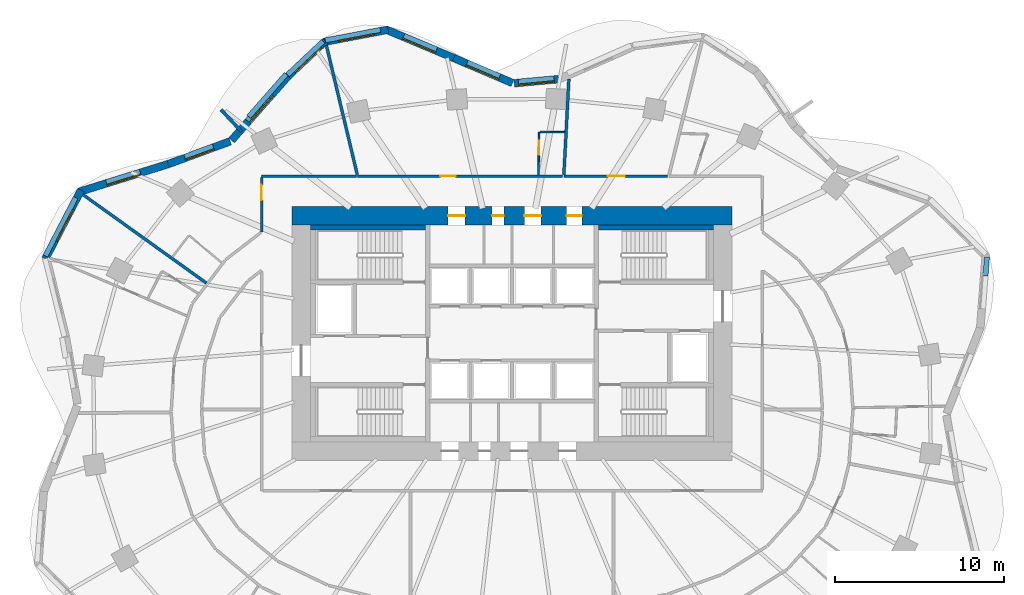
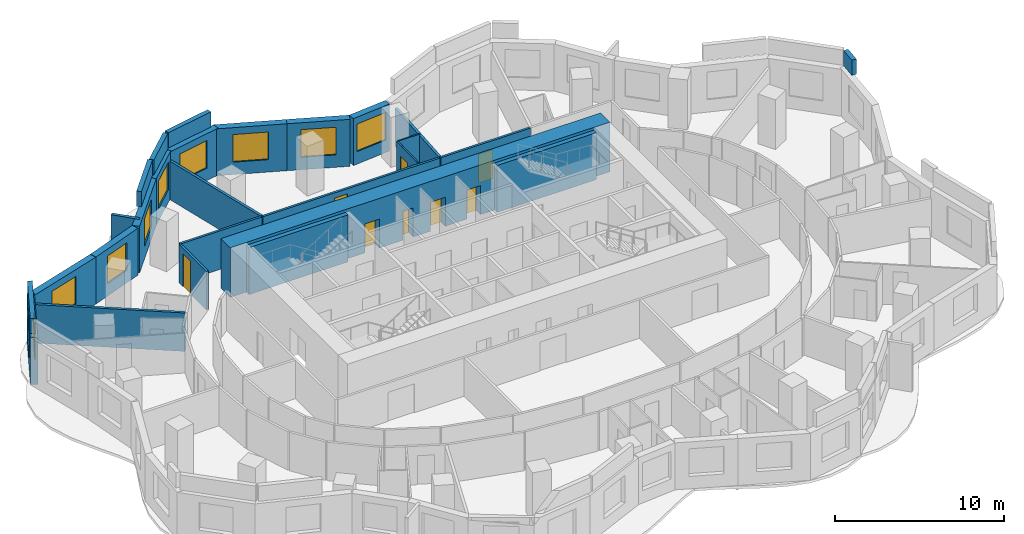
# One storey, part 8 of 10: 27 walls, 9 windows, 8 doors, 17 openings.
"""IFC4 building model written with IfcOpenShell, lengths in metres."""

import ifcopenshell
import ifcopenshell.guid

model = None  # the IFC model being written
_history = None  # IfcOwnerHistory: only IFC2X3 demands one
_inside = {}  # id of a spatial element -> (the spatial element, [elements in it])
_under = {}  # id of a project, library or spatial element -> (it, [spatial elements below it])
_declared = {}  # id of a project -> (the project, [libraries it declares])
_typed = {}  # id of a type object -> (the type object, [elements of that type])
_made_of = {}  # id of a material, layer set ... -> (it, [elements and type objects made of it])


def new_model(schema):
    """Start an empty IFC model of exactly this schema.

    Asked for "IFC4X3", IfcOpenShell would pick the latest addendum, in which some entities
    have other attributes; the version numbers below select the first issue.
    IFC2X3 requires an IfcOwnerHistory on every rooted entity: one is made here for all.
    """
    global model, _history
    if schema == "IFC4X3":
        model = ifcopenshell.file(schema_version=(4, 3, 0, 0))
    else:
        model = ifcopenshell.file(schema=schema)
    _inside.clear()
    _under.clear()
    _declared.clear()
    _typed.clear()
    _made_of.clear()
    _history = None
    if model.schema == "IFC2X3":
        org = make("IfcOrganization", Name="unknown")
        user = make(
            "IfcPersonAndOrganization",
            ThePerson=make("IfcPerson", FamilyName="unknown"),
            TheOrganization=org,
        )
        app = make(
            "IfcApplication",
            ApplicationDeveloper=org,
            Version="unknown",
            ApplicationFullName="unknown",
            ApplicationIdentifier="unknown",
        )
        _history = make(
            "IfcOwnerHistory",
            OwningUser=user,
            OwningApplication=app,
            ChangeAction="ADDED",
            CreationDate=0,
        )
    return model


def make(cls, **values):
    """One entity of the class cls with the attributes given. An attribute that is None is left unset."""
    return model.create_entity(
        cls, **{name: value for name, value in values.items() if value is not None}
    )


def rooted(cls, **values):
    """An entity with a GlobalId (a new one), such as an element, a storey or a relation."""
    return make(cls, GlobalId=ifcopenshell.guid.new(), OwnerHistory=_history, **values)


def si_unit(unit_type, name, prefix=None):
    """IfcSIUnit, for example si_unit("LENGTHUNIT", "METRE", prefix="MILLI")."""
    return make("IfcSIUnit", UnitType=unit_type, Prefix=prefix, Name=name)


def assignment(units):
    """IfcUnitAssignment: the units of a project."""
    return None if units is None else make("IfcUnitAssignment", Units=units)


def point(xyz):
    """IfcCartesianPoint."""
    return None if xyz is None else make("IfcCartesianPoint", Coordinates=xyz)


def direction(xyz):
    """IfcDirection."""
    return None if xyz is None else make("IfcDirection", DirectionRatios=xyz)


def frame(location, z_axis=None, x_axis=None):
    """IfcAxis2Placement3D, a coordinate frame: its origin and axes. An axis left out is left unset."""
    return make(
        "IfcAxis2Placement3D",
        Location=point(location),
        Axis=direction(z_axis),
        RefDirection=direction(x_axis),
    )


def frame_2d(location, x_axis=None):
    """IfcAxis2Placement2D, a coordinate frame in the plane: its origin and x axis."""
    return make(
        "IfcAxis2Placement2D", Location=point(location), RefDirection=direction(x_axis)
    )


def origin():
    """The frame at (0, 0, 0) with its axes left unset."""
    return frame((0.0, 0.0, 0.0))


def place(relative_to, where):
    """IfcLocalPlacement: puts the frame where relative to a parent placement (None: the world)."""
    return make(
        "IfcLocalPlacement", PlacementRelTo=relative_to, RelativePlacement=where
    )


def context(
    kind, dimensions, precision=None, world=None, true_north=None, identifier=None
):
    """IfcGeometricRepresentationContext, for example the 3D "Model" context."""
    return make(
        "IfcGeometricRepresentationContext",
        ContextIdentifier=identifier,
        ContextType=kind,
        CoordinateSpaceDimension=dimensions,
        Precision=precision,
        WorldCoordinateSystem=world,
        TrueNorth=true_north,
    )


def subcontext(parent, identifier, kind, view, scale=None):
    """IfcGeometricRepresentationSubContext, for example "Body" below "Model"."""
    return make(
        "IfcGeometricRepresentationSubContext",
        ContextIdentifier=identifier,
        ContextType=kind,
        ParentContext=parent,
        TargetScale=scale,
        TargetView=view,
    )


def project(units=None, contexts=None):
    """IfcProject with its units and contexts."""
    return rooted(
        "IfcProject",
        Name="project",
        RepresentationContexts=contexts,
        UnitsInContext=assignment(units),
    )


def spatial(cls, under=None, at=None, **own):
    """A site, building, storey or space (cls), placed at a placement, below another one or the project."""
    s = rooted(cls, ObjectPlacement=at, **own)
    if under is not None:
        _under.setdefault(under.id(), (under, []))[1].append(s)
    return s


def profile(cls, at=None, kind="AREA", **sizes):
    """A parametric profile (cls). Its sizes go by their IFC names, for example OverallWidth=200.0."""
    return make(cls, ProfileType=kind, Position=at, **sizes)


def rectangle(**sizes):
    """IfcRectangleProfileDef."""
    return profile("IfcRectangleProfileDef", **sizes)


def extrude(swept, where, along, depth):
    """IfcExtrudedAreaSolid: the profile swept, set in the frame where, extruded along a direction by depth."""
    return make(
        "IfcExtrudedAreaSolid",
        SweptArea=swept,
        Position=where,
        ExtrudedDirection=direction(along),
        Depth=depth,
    )


def shape(context_of_items, identifier, shape_type, items):
    """IfcShapeRepresentation: the items that make up one representation, for example the "Body"."""
    return make(
        "IfcShapeRepresentation",
        ContextOfItems=context_of_items,
        RepresentationIdentifier=identifier,
        RepresentationType=shape_type,
        Items=items,
    )


def material(Name=None, Category=None):
    """IfcMaterial."""
    return make("IfcMaterial", Name=Name, Category=Category)


def layer(
    of_material, thickness, ventilated=None, Name=None, Category=None, Priority=None
):
    """IfcMaterialLayer: one layer of a wall or slab, of a material (None: an air gap)."""
    return make(
        "IfcMaterialLayer",
        Material=of_material,
        LayerThickness=thickness,
        IsVentilated=ventilated,
        Name=Name,
        Category=Category,
        Priority=Priority,
    )


def layer_set(layers, Name=None):
    """IfcMaterialLayerSet."""
    return make("IfcMaterialLayerSet", MaterialLayers=layers, LayerSetName=Name)


def made_of(thing, what):
    """Note that an element or type object is made of a material, layer set ...; save() writes the relation."""
    if what is not None:
        _made_of.setdefault(what.id(), (what, []))[1].append(thing)
    return thing


def type_object(cls, material=None, **own):
    """A type object (cls), such as IfcWallType, which elements share."""
    return made_of(rooted(cls, **own), material)


def element(
    cls,
    number,
    at=None,
    inside=None,
    cuts=None,
    type_object=None,
    material=None,
    context=None,
    identifier="Body",
    shape_type=None,
    held_by="IfcProductDefinitionShape",
    body=None,
    shapes=None,
    **own,
):
    """One element of the class cls, such as IfcWall. Its Tag is "e" and its number.

    at: its placement. inside: the storey or other place that contains it. cuts: it is an
    opening in that element (IfcRelVoidsElement). A single representation is given by context,
    identifier, shape_type and body (its items); several are given by shapes. held_by: the class
    of the entity that holds the representations. save() writes the other relations.
    """
    e = rooted(cls, Tag="e%d" % number, ObjectPlacement=at, **own)
    if body is not None:
        shapes = [shape(context, identifier, shape_type, body)]
    if shapes is not None:
        e.Representation = make(held_by, Representations=shapes)
    if inside is not None:
        _inside.setdefault(inside.id(), (inside, []))[1].append(e)
    if cuts is not None:
        rooted(
            "IfcRelVoidsElement", RelatingBuildingElement=cuts, RelatedOpeningElement=e
        )
    if type_object is not None:
        _typed.setdefault(type_object.id(), (type_object, []))[1].append(e)
    return made_of(e, material)


def fill(opening, filler):
    """IfcRelFillsElement: the door or window that sits in an opening."""
    return rooted(
        "IfcRelFillsElement",
        RelatingOpeningElement=opening,
        RelatedBuildingElement=filler,
    )


def aggregate(whole, parts):
    """IfcRelAggregates: a whole, such as a stair, and the parts it consists of."""
    return rooted("IfcRelAggregates", RelatingObject=whole, RelatedObjects=parts)


def save(model, path):
    """Write the relations noted so far, then the file.

    IfcRelAggregates (storeys below a building ...), IfcRelContainedInSpatialStructure (elements
    in a storey), IfcRelDefinesByType, IfcRelAssociatesMaterial and IfcRelDeclares: one each for
    every whole, place, type object, material and project.
    """
    for whole, parts in _under.values():
        aggregate(whole, parts)
    for where, things in _inside.values():
        rooted(
            "IfcRelContainedInSpatialStructure",
            RelatedElements=things,
            RelatingStructure=where,
        )
    for kind, things in _typed.values():
        rooted("IfcRelDefinesByType", RelatedObjects=things, RelatingType=kind)
    for what, things in _made_of.values():
        rooted("IfcRelAssociatesMaterial", RelatedObjects=things, RelatingMaterial=what)
    for by, libraries in _declared.values():
        rooted("IfcRelDeclares", RelatingContext=by, RelatedDefinitions=libraries)
    model.write(path)


model = new_model("IFC4")

# Units and contexts
model_context = context("Model", 3, precision=1e-05, world=origin(), true_north=direction((0.0, 1.0)))
body_context = subcontext(model_context, "Body", "Model", "MODEL_VIEW")
ifc_project = project(units=[si_unit("LENGTHUNIT", "METRE"), si_unit("AREAUNIT", "SQUARE_METRE"), si_unit("VOLUMEUNIT", "CUBIC_METRE"), si_unit("PLANEANGLEUNIT", "RADIAN"), si_unit("MASSUNIT", "GRAM", prefix="KILO")], contexts=[model_context])

# Site, building, storey
site_placement = place(None, origin())
site = spatial("IfcSite", under=ifc_project, at=site_placement, CompositionType="ELEMENT")
building_placement = place(site_placement, origin())
building = spatial("IfcBuilding", under=site, at=building_placement, Name="Rubra Terraces Tower", CompositionType="ELEMENT")
storey_placement = place(building_placement, frame((0.0, 0.0, 110.39990234375)))
storey = spatial("IfcBuildingStorey", under=building, at=storey_placement, Name="L26", CompositionType="ELEMENT", Elevation=110.39990234375)

# Walls
ifc_material_1 = material(Name="Twin plasterboard on staggered steel stud, acoustic mineral wool", Category="steel")
ifc_layer_1 = layer(ifc_material_1, 0.175048828125)
ifc_layer_set_1 = layer_set([ifc_layer_1], Name="Twin plasterboard on staggered steel stud, acoustic mineral wool")
wall_type_1 = type_object("IfcWallType", Name="ACOUSTIC PARTY WALL 175", PredefinedType="PARTITIONING", material=ifc_layer_set_1)
wall_1_placement = place(storey_placement, frame((3.361328125, 19.5322265625, 0.0), z_axis=(0.0, 0.0, 1.0), x_axis=(-0.052405019424, -0.998625912912, 0.0)))
element("IfcWall", 1, at=wall_1_placement, inside=storey, type_object=wall_type_1, Name="PARTITION", PredefinedType="PARTITIONING", context=body_context, shape_type="SweptSolid", body=[
    extrude(rectangle(XDim=5.6650390625, YDim=0.175048828125, at=frame_2d((2.83251953125, 0.0))), origin(), (0.0, 0.0, 1.0), 2.7841796875),
])
wall_2_placement = place(storey_placement, frame((-10.96728515625, 21.52099609375, 0.0), z_axis=(0.0, 0.0, 1.0), x_axis=(0.23233123525, -0.972636724131, 0.0)))
element("IfcWall", 2, at=wall_2_placement, inside=storey, type_object=wall_type_1, Name="PARTITION", PredefinedType="PARTITIONING", context=body_context, shape_type="SweptSolid", body=[
    extrude(rectangle(XDim=7.86328125, YDim=0.175048828125, at=frame_2d((3.931640625, 0.0))), origin(), (0.0, 0.0, 1.0), 2.7841796875),
])
wall_3_placement = place(storey_placement, frame((-25.347900390625, 12.7001953125, 0.0), z_axis=(0.0, 0.0, 1.0), x_axis=(0.812889569694, -0.582417846124, 0.0)))
element("IfcWall", 3, at=wall_3_placement, inside=storey, type_object=wall_type_1, Name="PARTITION", PredefinedType="PARTITIONING", context=body_context, shape_type="SweptSolid", body=[
    extrude(rectangle(XDim=8.961669921875, YDim=0.175048828125, at=frame_2d((4.48095703125, 0.0))), origin(), (0.0, 0.0, 1.0), 2.7841796875),
])

# Wall, opening, window
ifc_material_2 = material(Name="Brick masonry red-brown", Category="masonry")
ifc_layer_2 = layer(ifc_material_2, 0.449951171875)
ifc_layer_set_2 = layer_set([ifc_layer_2], Name="Brick masonry red-brown")
wall_type_2 = type_object("IfcWallType", Name="Brick facade wall 450", PredefinedType="SOLIDWALL", material=ifc_layer_set_2)
wall_4_placement = place(storey_placement, frame((2.745361328125, 19.52490234375, 0.0), z_axis=(0.0, 0.0, 1.0), x_axis=(-0.995768774275, -0.091894222771, 0.0)))
wall_4 = element("IfcWall", 4, at=wall_4_placement, inside=storey, type_object=wall_type_2, Name="Facade wall L26 bay 10", PredefinedType="SOLIDWALL", context=body_context, shape_type="SweptSolid", body=[
    extrude(rectangle(XDim=2.624755859375, YDim=0.449951171875, at=frame_2d((1.3125, 0.0))), origin(), (0.0, 0.0, 1.0), 3.400146484375),
])
opening_1_placement = place(wall_4_placement, frame((0.262451171875, 0.0, 0.89990234375)))
opening_1 = element("IfcOpeningElement", 5, at=opening_1_placement, cuts=wall_4, Name="Opening W1", PredefinedType="OPENING", context=body_context, shape_type="SweptSolid", body=[
    extrude(rectangle(XDim=2.10009765625, YDim=2.0, at=frame_2d((1.050048828125, 1.0))), frame((0.0, 0.23486328125, 0.0), z_axis=(0.0, -1.0, 0.0), x_axis=(1.0, 0.0, 0.0)), (0.0, 0.0, 1.0), 0.469970703125),
])
ifc_material_3 = material(Name="Clear glass in aluminium frame", Category="aluminium")
window_type_1 = type_object("IfcWindowType", Name="Fixed deep-set window 2100 x 2000", PartitioningType="SINGLE_PANEL", PredefinedType="WINDOW", material=ifc_material_3)
window_1_placement = place(opening_1_placement, origin())
window_1 = element("IfcWindow", 6, at=window_1_placement, inside=storey, type_object=window_type_1, Name="Window L26 bay 10", OverallHeight=2.0, OverallWidth=2.10009765625, PartitioningType="SINGLE_PANEL", PredefinedType="WINDOW", context=body_context, shape_type="SweptSolid", body=[
    extrude(rectangle(XDim=2.10009765625, YDim=2.0, at=frame_2d((1.050048828125, 1.0))), frame((0.0, 0.135009765625, 0.0), z_axis=(0.0, -1.0, 0.0), x_axis=(1.0, 0.0, 0.0)), (0.0, 0.0, 1.0), 0.06005859375),
])
fill(opening_1, window_1)

wall_5_placement = place(storey_placement, frame((0.0263671875, 19.29931640625, 0.0), z_axis=(0.0, 0.0, 1.0), x_axis=(-0.920040408927, 0.391823488245, 0.0)))
wall_5 = element("IfcWall", 7, at=wall_5_placement, inside=storey, type_object=wall_type_2, Name="Facade wall L26 bay 11", PredefinedType="SOLIDWALL", context=body_context, shape_type="SweptSolid", body=[
    extrude(rectangle(XDim=3.769775390625, YDim=0.449951171875, at=frame_2d((1.884765625, 0.0))), origin(), (0.0, 0.0, 1.0), 3.400146484375),
])
opening_2_placement = place(wall_5_placement, frame((0.8349609375, 0.0, 0.89990234375)))
opening_2 = element("IfcOpeningElement", 8, at=opening_2_placement, cuts=wall_5, Name="Opening W1", PredefinedType="OPENING", context=body_context, shape_type="SweptSolid", body=[
    extrude(rectangle(XDim=2.10009765625, YDim=2.0, at=frame_2d((1.050048828125, 1.0))), frame((0.0, 0.23486328125, 0.0), z_axis=(0.0, -1.0, 0.0), x_axis=(1.0, 0.0, 0.0)), (0.0, 0.0, 1.0), 0.469970703125),
])
window_2_placement = place(opening_2_placement, origin())
window_2 = element("IfcWindow", 9, at=window_2_placement, inside=storey, type_object=window_type_1, Name="Window L26 bay 11", OverallHeight=2.0, OverallWidth=2.10009765625, PartitioningType="SINGLE_PANEL", PredefinedType="WINDOW", context=body_context, shape_type="SweptSolid", body=[
    extrude(rectangle(XDim=2.10009765625, YDim=2.0, at=frame_2d((1.050048828125, 1.0))), frame((0.0, 0.135009765625, 0.0), z_axis=(0.0, -1.0, 0.0), x_axis=(1.0, 0.0, 0.0)), (0.0, 0.0, 1.0), 0.06005859375),
])
fill(opening_2, window_2)

wall_6_placement = place(storey_placement, frame((-3.44140625, 20.776123046875, 0.0), z_axis=(0.0, 0.0, 1.0), x_axis=(-0.921988121387, 0.387218160758, 0.0)))
wall_6 = element("IfcWall", 10, at=wall_6_placement, inside=storey, type_object=wall_type_2, Name="Facade wall L26 bay 12", PredefinedType="SOLIDWALL", context=body_context, shape_type="SweptSolid", body=[
    extrude(rectangle(XDim=4.3466796875, YDim=0.449951171875, at=frame_2d((2.17333984375, 0.0))), origin(), (0.0, 0.0, 1.0), 3.400146484375),
])
opening_3_placement = place(wall_6_placement, frame((1.123291015625, 0.0, 0.89990234375)))
opening_3 = element("IfcOpeningElement", 11, at=opening_3_placement, cuts=wall_6, Name="Opening W1", PredefinedType="OPENING", context=body_context, shape_type="SweptSolid", body=[
    extrude(rectangle(XDim=2.10009765625, YDim=2.0, at=frame_2d((1.050048828125, 1.0))), frame((0.0, 0.23486328125, 0.0), z_axis=(0.0, -1.0, 0.0), x_axis=(1.0, 0.0, 0.0)), (0.0, 0.0, 1.0), 0.469970703125),
])
window_3_placement = place(opening_3_placement, origin())
window_3 = element("IfcWindow", 12, at=window_3_placement, inside=storey, type_object=window_type_1, Name="Window L26 bay 12", OverallHeight=2.0, OverallWidth=2.10009765625, PartitioningType="SINGLE_PANEL", PredefinedType="WINDOW", context=body_context, shape_type="SweptSolid", body=[
    extrude(rectangle(XDim=2.10009765625, YDim=2.0, at=frame_2d((1.050048828125, 1.0))), frame((0.0, 0.135009765625, 0.0), z_axis=(0.0, -1.0, 0.0), x_axis=(1.0, 0.0, 0.0)), (0.0, 0.0, 1.0), 0.06005859375),
])
fill(opening_3, window_3)

wall_7_placement = place(storey_placement, frame((-7.322998046875, 22.447021484375, 0.0), z_axis=(0.0, 0.0, 1.0), x_axis=(-0.982420993638, -0.18667884524, 0.0)))
wall_7 = element("IfcWall", 13, at=wall_7_placement, inside=storey, type_object=wall_type_2, Name="Facade wall L26 bay 13", PredefinedType="SOLIDWALL", context=body_context, shape_type="SweptSolid", body=[
    extrude(rectangle(XDim=3.88427734375, YDim=0.449951171875, at=frame_2d((1.942138671875, 0.0))), origin(), (0.0, 0.0, 1.0), 3.400146484375),
])
opening_4_placement = place(wall_7_placement, frame((0.89208984375, 0.0, 0.89990234375)))
opening_4 = element("IfcOpeningElement", 14, at=opening_4_placement, cuts=wall_7, Name="Opening W1", PredefinedType="OPENING", context=body_context, shape_type="SweptSolid", body=[
    extrude(rectangle(XDim=2.10009765625, YDim=2.0, at=frame_2d((1.050048828125, 1.0))), frame((0.0, 0.23486328125, 0.0), z_axis=(0.0, -1.0, 0.0), x_axis=(1.0, 0.0, 0.0)), (0.0, 0.0, 1.0), 0.469970703125),
])
window_4_placement = place(opening_4_placement, origin())
window_4 = element("IfcWindow", 15, at=window_4_placement, inside=storey, type_object=window_type_1, Name="Window L26 bay 13", OverallHeight=2.0, OverallWidth=2.10009765625, PartitioningType="SINGLE_PANEL", PredefinedType="WINDOW", context=body_context, shape_type="SweptSolid", body=[
    extrude(rectangle(XDim=2.10009765625, YDim=2.0, at=frame_2d((1.050048828125, 1.0))), frame((0.0, 0.135009765625, 0.0), z_axis=(0.0, -1.0, 0.0), x_axis=(1.0, 0.0, 0.0)), (0.0, 0.0, 1.0), 0.06005859375),
])
fill(opening_4, window_4)

wall_8_placement = place(storey_placement, frame((-11.027099609375, 21.779052734375, 0.0), z_axis=(0.0, 0.0, 1.0), x_axis=(-0.728871214251, -0.684650825631, 0.0)))
wall_8 = element("IfcWall", 16, at=wall_8_placement, inside=storey, type_object=wall_type_2, Name="Facade wall L26 bay 14", PredefinedType="SOLIDWALL", context=body_context, shape_type="SweptSolid", body=[
    extrude(rectangle(XDim=3.031005859375, YDim=0.449951171875, at=frame_2d((1.515625, 0.0))), origin(), (0.0, 0.0, 1.0), 3.400146484375),
])
opening_5_placement = place(wall_8_placement, frame((0.465576171875, 0.0, 0.89990234375)))
opening_5 = element("IfcOpeningElement", 17, at=opening_5_placement, cuts=wall_8, Name="Opening W1", PredefinedType="OPENING", context=body_context, shape_type="SweptSolid", body=[
    extrude(rectangle(XDim=2.10009765625, YDim=2.0, at=frame_2d((1.050048828125, 1.0))), frame((0.0, 0.23486328125, 0.0), z_axis=(0.0, -1.0, 0.0), x_axis=(1.0, 0.0, 0.0)), (0.0, 0.0, 1.0), 0.469970703125),
])
window_5_placement = place(opening_5_placement, origin())
window_5 = element("IfcWindow", 18, at=window_5_placement, inside=storey, type_object=window_type_1, Name="Window L26 bay 14", OverallHeight=2.0, OverallWidth=2.10009765625, PartitioningType="SINGLE_PANEL", PredefinedType="WINDOW", context=body_context, shape_type="SweptSolid", body=[
    extrude(rectangle(XDim=2.10009765625, YDim=2.0, at=frame_2d((1.050048828125, 1.0))), frame((0.0, 0.135009765625, 0.0), z_axis=(0.0, -1.0, 0.0), x_axis=(1.0, 0.0, 0.0)), (0.0, 0.0, 1.0), 0.06005859375),
])
fill(opening_5, window_5)

wall_9_placement = place(storey_placement, frame((-13.221435546875, 19.71923828125, 0.0), z_axis=(0.0, 0.0, 1.0), x_axis=(-0.660424908916, -0.750892095899, 0.0)))
wall_9 = element("IfcWall", 19, at=wall_9_placement, inside=storey, type_object=wall_type_2, Name="Facade wall L26 bay 15", PredefinedType="SOLIDWALL", context=body_context, shape_type="SweptSolid", body=[
    extrude(rectangle(XDim=5.07080078125, YDim=0.449951171875, at=frame_2d((2.535400390625, 0.0))), origin(), (0.0, 0.0, 1.0), 3.400146484375),
])
opening_6_placement = place(wall_9_placement, frame((1.4853515625, 0.0, 0.89990234375)))
opening_6 = element("IfcOpeningElement", 20, at=opening_6_placement, cuts=wall_9, Name="Opening W1", PredefinedType="OPENING", context=body_context, shape_type="SweptSolid", body=[
    extrude(rectangle(XDim=2.10009765625, YDim=2.0, at=frame_2d((1.050048828125, 1.0))), frame((0.0, 0.23486328125, 0.0), z_axis=(0.0, -1.0, 0.0), x_axis=(1.0, 0.0, 0.0)), (0.0, 0.0, 1.0), 0.469970703125),
])
window_6_placement = place(opening_6_placement, origin())
window_6 = element("IfcWindow", 21, at=window_6_placement, inside=storey, type_object=window_type_1, Name="Window L26 bay 15", OverallHeight=2.0, OverallWidth=2.10009765625, PartitioningType="SINGLE_PANEL", PredefinedType="WINDOW", context=body_context, shape_type="SweptSolid", body=[
    extrude(rectangle(XDim=2.10009765625, YDim=2.0, at=frame_2d((1.050048828125, 1.0))), frame((0.0, 0.135009765625, 0.0), z_axis=(0.0, -1.0, 0.0), x_axis=(1.0, 0.0, 0.0)), (0.0, 0.0, 1.0), 0.06005859375),
])
fill(opening_6, window_6)

wall_10_placement = place(storey_placement, frame((-16.654052734375, 15.85205078125, 0.0), z_axis=(0.0, 0.0, 1.0), x_axis=(-0.938636568132, -0.344907803572, 0.0)))
wall_10 = element("IfcWall", 22, at=wall_10_placement, inside=storey, type_object=wall_type_2, Name="Facade wall L26 bay 16", PredefinedType="SOLIDWALL", context=body_context, shape_type="SweptSolid", body=[
    extrude(rectangle(XDim=3.887451171875, YDim=0.449951171875, at=frame_2d((1.94384765625, 0.0))), origin(), (0.0, 0.0, 1.0), 3.400146484375),
])
opening_7_placement = place(wall_10_placement, frame((1.043701171875, 0.0, 0.89990234375)))
opening_7 = element("IfcOpeningElement", 23, at=opening_7_placement, cuts=wall_10, Name="Opening W6", PredefinedType="OPENING", context=body_context, shape_type="SweptSolid", body=[
    extrude(rectangle(XDim=1.800048828125, YDim=2.0, at=frame_2d((0.89990234375, 1.0))), frame((0.0, 0.23486328125, 0.0), z_axis=(0.0, -1.0, 0.0), x_axis=(1.0, 0.0, 0.0)), (0.0, 0.0, 1.0), 0.469970703125),
])
window_type_2 = type_object("IfcWindowType", Name="Fixed deep-set window at wind fin 1800 x 2000", PartitioningType="SINGLE_PANEL", PredefinedType="WINDOW", material=ifc_material_3)
window_7_placement = place(opening_7_placement, origin())
window_7 = element("IfcWindow", 24, at=window_7_placement, inside=storey, type_object=window_type_2, Name="Window L26 bay 16", OverallHeight=2.0, OverallWidth=1.800048828125, PartitioningType="SINGLE_PANEL", PredefinedType="WINDOW", context=body_context, shape_type="SweptSolid", body=[
    extrude(rectangle(XDim=1.800048828125, YDim=2.0, at=frame_2d((0.89990234375, 1.0))), frame((0.0, 0.135009765625, 0.0), z_axis=(0.0, -1.0, 0.0), x_axis=(1.0, 0.0, 0.0)), (0.0, 0.0, 1.0), 0.06005859375),
])
fill(opening_7, window_7)

wall_11_placement = place(storey_placement, frame((-20.31591796875, 14.506591796875, 0.0), z_axis=(0.0, 0.0, 1.0), x_axis=(-0.954807195185, -0.297225873743, 0.0)))
wall_11 = element("IfcWall", 25, at=wall_11_placement, inside=storey, type_object=wall_type_2, Name="Facade wall L26 bay 17", PredefinedType="SOLIDWALL", context=body_context, shape_type="SweptSolid", body=[
    extrude(rectangle(XDim=5.5263671875, YDim=0.449951171875, at=frame_2d((2.76318359375, 0.0))), origin(), (0.0, 0.0, 1.0), 3.400146484375),
])
opening_8_placement = place(wall_11_placement, frame((1.713134765625, 0.0, 0.89990234375)))
opening_8 = element("IfcOpeningElement", 26, at=opening_8_placement, cuts=wall_11, Name="Opening W1", PredefinedType="OPENING", context=body_context, shape_type="SweptSolid", body=[
    extrude(rectangle(XDim=2.10009765625, YDim=2.0, at=frame_2d((1.050048828125, 1.0))), frame((0.0, 0.23486328125, 0.0), z_axis=(0.0, -1.0, 0.0), x_axis=(1.0, 0.0, 0.0)), (0.0, 0.0, 1.0), 0.469970703125),
])
window_8_placement = place(opening_8_placement, origin())
window_8 = element("IfcWindow", 27, at=window_8_placement, inside=storey, type_object=window_type_1, Name="Window L26 bay 17", OverallHeight=2.0, OverallWidth=2.10009765625, PartitioningType="SINGLE_PANEL", PredefinedType="WINDOW", context=body_context, shape_type="SweptSolid", body=[
    extrude(rectangle(XDim=2.10009765625, YDim=2.0, at=frame_2d((1.050048828125, 1.0))), frame((0.0, 0.135009765625, 0.0), z_axis=(0.0, -1.0, 0.0), x_axis=(1.0, 0.0, 0.0)), (0.0, 0.0, 1.0), 0.06005859375),
])
fill(opening_8, window_8)

wall_12_placement = place(storey_placement, frame((-25.46533203125, 12.97314453125, 0.0), z_axis=(0.0, 0.0, 1.0), x_axis=(-0.461288789222, -0.887250050965, 0.0)))
wall_12 = element("IfcWall", 28, at=wall_12_placement, inside=storey, type_object=wall_type_2, Name="Facade wall L26 bay 18", PredefinedType="SOLIDWALL", context=body_context, shape_type="SweptSolid", body=[
    extrude(rectangle(XDim=4.568115234375, YDim=0.449951171875, at=frame_2d((2.2841796875, 0.0))), origin(), (0.0, 0.0, 1.0), 3.400146484375),
])
opening_9_placement = place(wall_12_placement, frame((1.23388671875, 0.0, 0.89990234375)))
opening_9 = element("IfcOpeningElement", 29, at=opening_9_placement, cuts=wall_12, Name="Opening W1", PredefinedType="OPENING", context=body_context, shape_type="SweptSolid", body=[
    extrude(rectangle(XDim=2.10009765625, YDim=2.0, at=frame_2d((1.050048828125, 1.0))), frame((0.0, 0.23486328125, 0.0), z_axis=(0.0, -1.0, 0.0), x_axis=(1.0, 0.0, 0.0)), (0.0, 0.0, 1.0), 0.469970703125),
])
window_9_placement = place(opening_9_placement, origin())
window_9 = element("IfcWindow", 30, at=window_9_placement, inside=storey, type_object=window_type_1, Name="Window L26 bay 18", OverallHeight=2.0, OverallWidth=2.10009765625, PartitioningType="SINGLE_PANEL", PredefinedType="WINDOW", context=body_context, shape_type="SweptSolid", body=[
    extrude(rectangle(XDim=2.10009765625, YDim=2.0, at=frame_2d((1.050048828125, 1.0))), frame((0.0, 0.135009765625, 0.0), z_axis=(0.0, -1.0, 0.0), x_axis=(1.0, 0.0, 0.0)), (0.0, 0.0, 1.0), 0.06005859375),
])
fill(opening_9, window_9)

# Walls
ifc_layer_3 = layer(ifc_material_2, 0.300048828125)
ifc_layer_set_3 = layer_set([ifc_layer_3], Name="Brick masonry red-brown")
wall_type_3 = type_object("IfcWallType", Name="Brick parapet 300", PredefinedType="PARAPET", material=ifc_layer_set_3)
wall_13_placement = place(storey_placement, frame((27.978515625, 7.892333984375, 3.60009765625), z_axis=(0.0, 0.0, 1.0), x_axis=(0.075750382553, 0.997126812167, 0.0)))
element("IfcWall", 31, at=wall_13_placement, inside=storey, type_object=wall_type_3, Name="Parapet L26 bay 2", PredefinedType="PARAPET", context=body_context, shape_type="SweptSolid", body=[
    extrude(rectangle(XDim=1.124755859375, YDim=0.300048828125, at=frame_2d((0.5625, 0.0))), origin(), (0.0, 0.0, 1.0), 1.10009765625),
])
wall_14_placement = place(storey_placement, frame((-7.777587890625, 22.43701171875, 3.60009765625), z_axis=(0.0, 0.0, 1.0), x_axis=(-0.98241446716, -0.186713188382, 0.0)))
element("IfcWall", 32, at=wall_14_placement, inside=storey, type_object=wall_type_3, Name="Parapet L26 bay 13", PredefinedType="PARAPET", context=body_context, shape_type="SweptSolid", body=[
    extrude(rectangle(XDim=3.318603515625, YDim=0.300048828125, at=frame_2d((1.6591796875, 0.0))), origin(), (0.0, 0.0, 1.0), 1.10009765625),
])
wall_15_placement = place(storey_placement, frame((-11.163818359375, 21.75341796875, 3.60009765625), z_axis=(0.0, 0.0, 1.0), x_axis=(-0.72886475222, -0.684657704967, 0.0)))
element("IfcWall", 33, at=wall_15_placement, inside=storey, type_object=wall_type_3, Name="Parapet L26 bay 14", PredefinedType="PARAPET", context=body_context, shape_type="SweptSolid", body=[
    extrude(rectangle(XDim=2.877197265625, YDim=0.300048828125, at=frame_2d((1.4384765625, 0.0))), origin(), (0.0, 0.0, 1.0), 1.10009765625),
])
wall_16_placement = place(storey_placement, frame((-13.338623046875, 19.822265625, 3.60009765625), z_axis=(0.0, 0.0, 1.0), x_axis=(-0.660445690116, -0.7508738179, 0.0)))
element("IfcWall", 34, at=wall_16_placement, inside=storey, type_object=wall_type_3, Name="Parapet L26 bay 15", PredefinedType="PARAPET", context=body_context, shape_type="SweptSolid", body=[
    extrude(rectangle(XDim=3.353271484375, YDim=0.300048828125, at=frame_2d((1.6767578125, 0.0))), origin(), (0.0, 0.0, 1.0), 1.10009765625),
])
wall_17_placement = place(storey_placement, frame((-25.781982421875, 12.52685546875, 3.60009765625), z_axis=(0.0, 0.0, 1.0), x_axis=(-0.461218103562, -0.88728679746, 0.0)))
element("IfcWall", 35, at=wall_17_placement, inside=storey, type_object=wall_type_3, Name="Parapet L26 bay 18", PredefinedType="PARAPET", context=body_context, shape_type="SweptSolid", body=[
    extrude(rectangle(XDim=3.8828125, YDim=0.300048828125, at=frame_2d((1.94140625, 0.0))), origin(), (0.0, 0.0, 1.0), 1.10009765625),
])
ifc_layer_4 = layer(ifc_material_2, 0.199951171875)
ifc_layer_set_4 = layer_set([ifc_layer_4], Name="Brick masonry red-brown")
wall_type_4 = type_object("IfcWallType", Name="Brick wind fin 200", PredefinedType="SOLIDWALL", material=ifc_layer_set_4)
wall_18_placement = place(storey_placement, frame((-15.9951171875, 16.444091796875, 0.0), z_axis=(0.0, 0.0, 1.0), x_axis=(-0.683852936488, 0.729619874494, 0.0)))
element("IfcWall", 36, at=wall_18_placement, inside=storey, type_object=wall_type_4, Name="Wind fin L26 9", PredefinedType="SOLIDWALL", context=body_context, shape_type="SweptSolid", body=[
    extrude(rectangle(XDim=1.749755859375, YDim=0.199951171875, at=frame_2d((0.875, 0.0))), origin(), (0.0, 0.0, 1.0), 3.400146484375),
])

# Wall, openings, doors
ifc_material_4 = material(Name="Concrete C60", Category="concrete")
ifc_layer_5 = layer(ifc_material_4, 1.10009765625)
ifc_layer_set_5 = layer_set([ifc_layer_5], Name="Concrete C60")
wall_type_5 = type_object("IfcWallType", Name="CORE WALL 1100 C60", PredefinedType="SHEAR", material=ifc_layer_set_5)
wall_19_placement = place(storey_placement, frame((-13.0, 11.449951171875, 0.0), z_axis=(0.0, 0.0, 1.0), x_axis=(1.0, 0.0, 0.0)))
wall_19 = element("IfcWall", 37, at=wall_19_placement, inside=storey, type_object=wall_type_5, Name="CORE WALL N L26", PredefinedType="SHEAR", context=body_context, shape_type="SweptSolid", body=[
    extrude(rectangle(XDim=26.0, YDim=1.10009765625, at=frame_2d((13.0, 0.0))), origin(), (0.0, 0.0, 1.0), 3.60009765625),
])
opening_10_placement = place(wall_19_placement, frame((9.22509765625, 0.0, 0.0)))
opening_10 = element("IfcOpeningElement", 38, at=opening_10_placement, cuts=wall_19, Name="Opening L26.C23", PredefinedType="OPENING", context=body_context, shape_type="SweptSolid", body=[
    extrude(rectangle(XDim=1.0, YDim=2.10009765625, at=frame_2d((0.5, 1.050048828125))), frame((0.0, 0.56005859375, 0.0), z_axis=(0.0, -1.0, 0.0), x_axis=(1.0, 0.0, 0.0)), (0.0, 0.0, 1.0), 1.1201171875),
])
opening_11_placement = place(wall_19_placement, frame((11.824951171875, 0.0, 0.0)))
opening_11 = element("IfcOpeningElement", 39, at=opening_11_placement, cuts=wall_19, Name="Opening L26.C24", PredefinedType="OPENING", context=body_context, shape_type="SweptSolid", body=[
    extrude(rectangle(XDim=0.699951171875, YDim=2.10009765625, at=frame_2d((0.35009765625, 1.050048828125))), frame((0.0, 0.56005859375, 0.0), z_axis=(0.0, -1.0, 0.0), x_axis=(1.0, 0.0, 0.0)), (0.0, 0.0, 1.0), 1.1201171875),
])
opening_12_placement = place(wall_19_placement, frame((13.72509765625, 0.0, 0.0)))
opening_12 = element("IfcOpeningElement", 40, at=opening_12_placement, cuts=wall_19, Name="Opening L26.C25", PredefinedType="OPENING", context=body_context, shape_type="SweptSolid", body=[
    extrude(rectangle(XDim=1.0, YDim=2.10009765625, at=frame_2d((0.5, 1.050048828125))), frame((0.0, 0.56005859375, 0.0), z_axis=(0.0, -1.0, 0.0), x_axis=(1.0, 0.0, 0.0)), (0.0, 0.0, 1.0), 1.1201171875),
])
opening_13_placement = place(wall_19_placement, frame((16.22509765625, 0.0, 0.0)))
opening_13 = element("IfcOpeningElement", 41, at=opening_13_placement, cuts=wall_19, Name="Opening L26.C26", PredefinedType="OPENING", context=body_context, shape_type="SweptSolid", body=[
    extrude(rectangle(XDim=0.89990234375, YDim=2.10009765625, at=frame_2d((0.449951171875, 1.050048828125))), frame((0.0, 0.56005859375, 0.0), z_axis=(0.0, -1.0, 0.0), x_axis=(1.0, 0.0, 0.0)), (0.0, 0.0, 1.0), 1.1201171875),
])
ifc_material_5 = material(Name="Painted steel", Category="steel")
door_type_1 = type_object("IfcDoorType", Name="Fire door 1000x2100 single", OperationType="NOTDEFINED", PredefinedType="DOOR", material=ifc_material_5)
door_1_placement = place(opening_10_placement, origin())
door_1 = element("IfcDoor", 42, at=door_1_placement, inside=storey, type_object=door_type_1, Name="General store door", OperationType="SINGLE_SWING_LEFT", OverallHeight=2.10009765625, OverallWidth=1.0, PredefinedType="DOOR", context=body_context, shape_type="SweptSolid", body=[
    extrude(rectangle(XDim=1.0, YDim=2.10009765625, at=frame_2d((0.5, 1.050048828125))), frame((0.0, 0.02490234375, 0.0), z_axis=(0.0, -1.0, 0.0), x_axis=(1.0, 0.0, 0.0)), (0.0, 0.0, 1.0), 0.050048828125),
])
fill(opening_10, door_1)
door_2_placement = place(opening_12_placement, origin())
door_2 = element("IfcDoor", 43, at=door_2_placement, inside=storey, type_object=door_type_1, Name="Tea point door", OperationType="SINGLE_SWING_LEFT", OverallHeight=2.10009765625, OverallWidth=1.0, PredefinedType="DOOR", context=body_context, shape_type="SweptSolid", body=[
    extrude(rectangle(XDim=1.0, YDim=2.10009765625, at=frame_2d((0.5, 1.050048828125))), frame((0.0, 0.02490234375, 0.0), z_axis=(0.0, -1.0, 0.0), x_axis=(1.0, 0.0, 0.0)), (0.0, 0.0, 1.0), 0.050048828125),
])
fill(opening_12, door_2)
door_type_2 = type_object("IfcDoorType", Name="Fire door 900x2100 single", OperationType="NOTDEFINED", PredefinedType="DOOR", material=ifc_material_5)
door_3_placement = place(opening_13_placement, origin())
door_3 = element("IfcDoor", 44, at=door_3_placement, inside=storey, type_object=door_type_2, Name="Cleaner's store door", OperationType="SINGLE_SWING_RIGHT", OverallHeight=2.10009765625, OverallWidth=0.89990234375, PredefinedType="DOOR", context=body_context, shape_type="SweptSolid", body=[
    extrude(rectangle(XDim=0.89990234375, YDim=2.10009765625, at=frame_2d((0.449951171875, 1.050048828125))), frame((0.0, 0.02490234375, 0.0), z_axis=(0.0, -1.0, 0.0), x_axis=(1.0, 0.0, 0.0)), (0.0, 0.0, 1.0), 0.050048828125),
])
fill(opening_13, door_3)
door_type_3 = type_object("IfcDoorType", Name="Riser access door 700x2100 single", OperationType="NOTDEFINED", PredefinedType="DOOR", material=ifc_material_5)
door_4_placement = place(opening_11_placement, origin())
door_4 = element("IfcDoor", 45, at=door_4_placement, inside=storey, type_object=door_type_3, Name="Electrical riser room door", OperationType="SINGLE_SWING_RIGHT", OverallHeight=2.10009765625, OverallWidth=0.699951171875, PredefinedType="DOOR", context=body_context, shape_type="SweptSolid", body=[
    extrude(rectangle(XDim=0.699951171875, YDim=2.10009765625, at=frame_2d((0.35009765625, 1.050048828125))), frame((0.0, 0.02490234375, 0.0), z_axis=(0.0, -1.0, 0.0), x_axis=(1.0, 0.0, 0.0)), (0.0, 0.0, 1.0), 0.050048828125),
])
fill(opening_11, door_4)

# Wall, opening, door
ifc_material_6 = material(Name="Plasterboard on steel stud, mineral wool infill", Category="steel")
ifc_layer_6 = layer(ifc_material_6, 0.14990234375)
ifc_layer_set_6 = layer_set([ifc_layer_6], Name="Plasterboard on steel stud, mineral wool infill")
wall_type_6 = type_object("IfcWallType", Name="CORRIDOR PARTITION 150", PredefinedType="PARTITIONING", material=ifc_layer_set_6)
wall_20_placement = place(storey_placement, frame((9.189453125, 13.800048828125, 0.0), z_axis=(0.0, 0.0, 1.0), x_axis=(-1.0, 0.0, 0.0)))
wall_20 = element("IfcWall", 46, at=wall_20_placement, inside=storey, type_object=wall_type_6, Name="PARTITION", PredefinedType="PARTITIONING", context=body_context, shape_type="SweptSolid", body=[
    extrude(rectangle(XDim=6.12890625, YDim=0.14990234375, at=frame_2d((3.064453125, 0.0))), origin(), (0.0, 0.0, 1.0), 2.7841796875),
])
opening_14_placement = place(wall_20_placement, frame((2.527099609375, 0.0, 0.0)))
opening_14 = element("IfcOpeningElement", 47, at=opening_14_placement, cuts=wall_20, Name="Opening 26-119", PredefinedType="OPENING", context=body_context, shape_type="SweptSolid", body=[
    extrude(rectangle(XDim=1.0, YDim=2.10009765625, at=frame_2d((0.5, 1.050048828125))), frame((0.0, 0.0849609375, 0.0), z_axis=(0.0, -1.0, 0.0), x_axis=(1.0, 0.0, 0.0)), (0.0, 0.0, 1.0), 0.169921875),
])
ifc_material_7 = material(Name="Painted timber door leaf", Category="wood")
door_type_4 = type_object("IfcDoorType", Name="ROOM DOOR 1000 X 2100", OperationType="SINGLE_SWING_LEFT", PredefinedType="DOOR", material=ifc_material_7)
door_5_placement = place(opening_14_placement, origin())
door_5 = element("IfcDoor", 48, at=door_5_placement, inside=storey, type_object=door_type_4, Name="DOOR 26-119", OperationType="SINGLE_SWING_RIGHT", OverallHeight=2.10009765625, OverallWidth=1.0, PredefinedType="DOOR", context=body_context, shape_type="SweptSolid", body=[
    extrude(rectangle(XDim=1.0, YDim=2.10009765625, at=frame_2d((0.5, 1.050048828125))), frame((0.0, 0.02490234375, 0.0), z_axis=(0.0, -1.0, 0.0), x_axis=(1.0, 0.0, 0.0)), (0.0, 0.0, 1.0), 0.050048828125),
])
fill(opening_14, door_5)

wall_21_placement = place(storey_placement, frame((2.985595703125, 13.800048828125, 0.0), z_axis=(0.0, 0.0, 1.0), x_axis=(-1.0, 0.0, 0.0)))
wall_21 = element("IfcWall", 49, at=wall_21_placement, inside=storey, type_object=wall_type_6, Name="PARTITION", PredefinedType="PARTITIONING", context=body_context, shape_type="SweptSolid", body=[
    extrude(rectangle(XDim=12.108642578125, YDim=0.14990234375, at=frame_2d((6.05419921875, 0.0))), origin(), (0.0, 0.0, 1.0), 2.7841796875),
])
opening_15_placement = place(wall_21_placement, frame((6.31689453125, 0.0, 0.0)))
opening_15 = element("IfcOpeningElement", 50, at=opening_15_placement, cuts=wall_21, Name="Opening 26-121", PredefinedType="OPENING", context=body_context, shape_type="SweptSolid", body=[
    extrude(rectangle(XDim=0.89990234375, YDim=2.39990234375, at=frame_2d((0.449951171875, 1.199951171875))), frame((0.0, 0.0849609375, 0.0), z_axis=(0.0, -1.0, 0.0), x_axis=(1.0, 0.0, 0.0)), (0.0, 0.0, 1.0), 0.169921875),
])
ifc_material_8 = material(Name="Veneered timber door leaf, fire-rated", Category="wood")
door_type_5 = type_object("IfcDoorType", Name="SUITE ENTRANCE DOOR 900 X 2400", OperationType="SINGLE_SWING_LEFT", PredefinedType="DOOR", material=ifc_material_8)
door_6_placement = place(opening_15_placement, origin())
door_6 = element("IfcDoor", 51, at=door_6_placement, inside=storey, type_object=door_type_5, Name="DOOR 26-121", OperationType="SINGLE_SWING_RIGHT", OverallHeight=2.39990234375, OverallWidth=0.89990234375, PredefinedType="DOOR", context=body_context, shape_type="SweptSolid", body=[
    extrude(rectangle(XDim=0.89990234375, YDim=2.39990234375, at=frame_2d((0.449951171875, 1.199951171875))), frame((0.0, 0.02490234375, 0.0), z_axis=(0.0, -1.0, 0.0), x_axis=(1.0, 0.0, 0.0)), (0.0, 0.0, 1.0), 0.050048828125),
])
fill(opening_15, door_6)

# Wall
wall_22_placement = place(storey_placement, frame((-9.197998046875, 13.800048828125, 0.0), z_axis=(0.0, 0.0, 1.0), x_axis=(-1.0, 0.0, 0.0)))
element("IfcWall", 52, at=wall_22_placement, inside=storey, type_object=wall_type_6, Name="PARTITION", PredefinedType="PARTITIONING", context=body_context, shape_type="SweptSolid", body=[
    extrude(rectangle(XDim=5.60205078125, YDim=0.14990234375, at=frame_2d((2.801025390625, 0.0))), origin(), (0.0, 0.0, 1.0), 2.7841796875),
])

# Wall, opening, door
wall_23_placement = place(storey_placement, frame((-14.800048828125, 13.72509765625, 0.0), z_axis=(0.0, 0.0, 1.0), x_axis=(0.0, -1.0, 0.0)))
wall_23 = element("IfcWall", 53, at=wall_23_placement, inside=storey, type_object=wall_type_6, Name="PARTITION", PredefinedType="PARTITIONING", context=body_context, shape_type="SweptSolid", body=[
    extrude(rectangle(XDim=3.228271484375, YDim=0.14990234375, at=frame_2d((1.6142578125, 0.0))), origin(), (0.0, 0.0, 1.0), 2.7841796875),
])
opening_16_placement = place(wall_23_placement, frame((0.449951171875, 0.0, 0.0)))
opening_16 = element("IfcOpeningElement", 54, at=opening_16_placement, cuts=wall_23, Name="Opening 26-123", PredefinedType="OPENING", context=body_context, shape_type="SweptSolid", body=[
    extrude(rectangle(XDim=0.89990234375, YDim=2.39990234375, at=frame_2d((0.449951171875, 1.199951171875))), frame((0.0, 0.0849609375, 0.0), z_axis=(0.0, -1.0, 0.0), x_axis=(1.0, 0.0, 0.0)), (0.0, 0.0, 1.0), 0.169921875),
])
door_7_placement = place(opening_16_placement, origin())
door_7 = element("IfcDoor", 55, at=door_7_placement, inside=storey, type_object=door_type_5, Name="DOOR 26-123", OperationType="SINGLE_SWING_LEFT", OverallHeight=2.39990234375, OverallWidth=0.89990234375, PredefinedType="DOOR", context=body_context, shape_type="SweptSolid", body=[
    extrude(rectangle(XDim=0.89990234375, YDim=2.39990234375, at=frame_2d((0.449951171875, 1.199951171875))), frame((0.0, 0.02490234375, 0.0), z_axis=(0.0, -1.0, 0.0), x_axis=(1.0, 0.0, 0.0)), (0.0, 0.0, 1.0), 0.050048828125),
])
fill(opening_16, door_7)

# Walls
ifc_material_9 = material(Name="Concrete C40", Category="concrete")
ifc_layer_7 = layer(ifc_material_9, 0.300048828125)
ifc_layer_set_7 = layer_set([ifc_layer_7], Name="Concrete C40")
wall_type_7 = type_object("IfcWallType", Name="Core lining wall 300 concrete", PredefinedType="SOLIDWALL", material=ifc_layer_set_7)
for number, where, z_axis, x_axis, name in (
    (56, (-11.89990234375, 10.75, 0.0), (0.0, 0.0, 1.0), (1.0, 0.0, 0.0), "CORE LINING WALL L26"),
    (57, (11.89990234375, 10.75, 0.0), (0.0, 0.0, 1.0), (-1.0, 0.0, 0.0), "CORE LINING WALL L26"),
):
    element("IfcWall", number, at=place(storey_placement, frame(where, z_axis=z_axis, x_axis=x_axis)), inside=storey, type_object=wall_type_7, Name=name, PredefinedType="SOLIDWALL", context=body_context, shape_type="SweptSolid", body=[
        extrude(rectangle(XDim=6.7998046875, YDim=0.300048828125, at=frame_2d((3.39990234375, 0.0))), origin(), (0.0, 0.0, 1.0), 3.400146484375),
    ])

# Wall, opening, door
ifc_material_10 = material(Name="Plasterboard on steel stud", Category="steel")
ifc_layer_8 = layer(ifc_material_10, 0.10009765625)
ifc_layer_set_8 = layer_set([ifc_layer_8], Name="Plasterboard on steel stud")
wall_type_8 = type_object("IfcWallType", Name="ROOM PARTITION 100", PredefinedType="PARTITIONING", material=ifc_layer_set_8)
wall_24_placement = place(storey_placement, frame((1.561767578125, 13.875, 0.0), z_axis=(0.0, 0.0, 1.0), x_axis=(0.017403804044, 0.999848542333, 0.0)))
wall_24 = element("IfcWall", 58, at=wall_24_placement, inside=storey, type_object=wall_type_8, Name="PARTITION", PredefinedType="PARTITIONING", context=body_context, shape_type="SweptSolid", body=[
    extrude(rectangle(XDim=2.525146484375, YDim=0.10009765625, at=frame_2d((1.2626953125, 0.0))), origin(), (0.0, 0.0, 1.0), 2.884033203125),
])
opening_17_placement = place(wall_24_placement, frame((1.199951171875, 0.0, 0.0)))
opening_17 = element("IfcOpeningElement", 59, at=opening_17_placement, cuts=wall_24, Name="Opening 26-120", PredefinedType="OPENING", context=body_context, shape_type="SweptSolid", body=[
    extrude(rectangle(XDim=0.800048828125, YDim=2.10009765625, at=frame_2d((0.39990234375, 1.050048828125))), frame((0.0, 0.06005859375, 0.0), z_axis=(0.0, -1.0, 0.0), x_axis=(1.0, 0.0, 0.0)), (0.0, 0.0, 1.0), 0.1201171875),
])
door_type_6 = type_object("IfcDoorType", Name="BATHROOM DOOR 800 X 2100", OperationType="SINGLE_SWING_LEFT", PredefinedType="DOOR", material=ifc_material_7)
door_8_placement = place(opening_17_placement, origin())
door_8 = element("IfcDoor", 60, at=door_8_placement, inside=storey, type_object=door_type_6, Name="DOOR 26-120", OperationType="SINGLE_SWING_LEFT", OverallHeight=2.10009765625, OverallWidth=0.800048828125, PredefinedType="DOOR", context=body_context, shape_type="SweptSolid", body=[
    extrude(rectangle(XDim=0.800048828125, YDim=2.10009765625, at=frame_2d((0.39990234375, 1.050048828125))), frame((0.0, 0.02490234375, 0.0), z_axis=(0.0, -1.0, 0.0), x_axis=(1.0, 0.0, 0.0)), (0.0, 0.0, 1.0), 0.050048828125),
])
fill(opening_17, door_8)

# Wall
wall_25_placement = place(storey_placement, frame((1.65576171875, 16.3994140625, 0.0), z_axis=(0.0, 0.0, 1.0), x_axis=(0.99999800267, -0.001998663563, 0.0)))
element("IfcWall", 61, at=wall_25_placement, inside=storey, type_object=wall_type_8, Name="PARTITION", PredefinedType="PARTITIONING", context=body_context, shape_type="SweptSolid", body=[
    extrude(rectangle(XDim=1.4658203125, YDim=0.10009765625, at=frame_2d((0.73291015625, 0.0))), origin(), (0.0, 0.0, 1.0), 2.884033203125),
])

save(model, "model.ifc")
